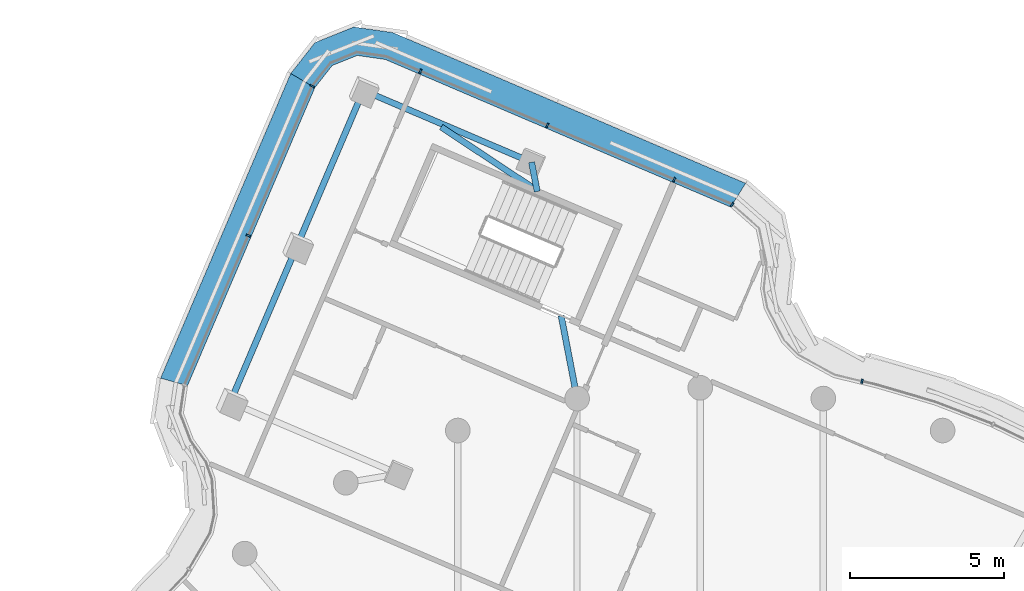
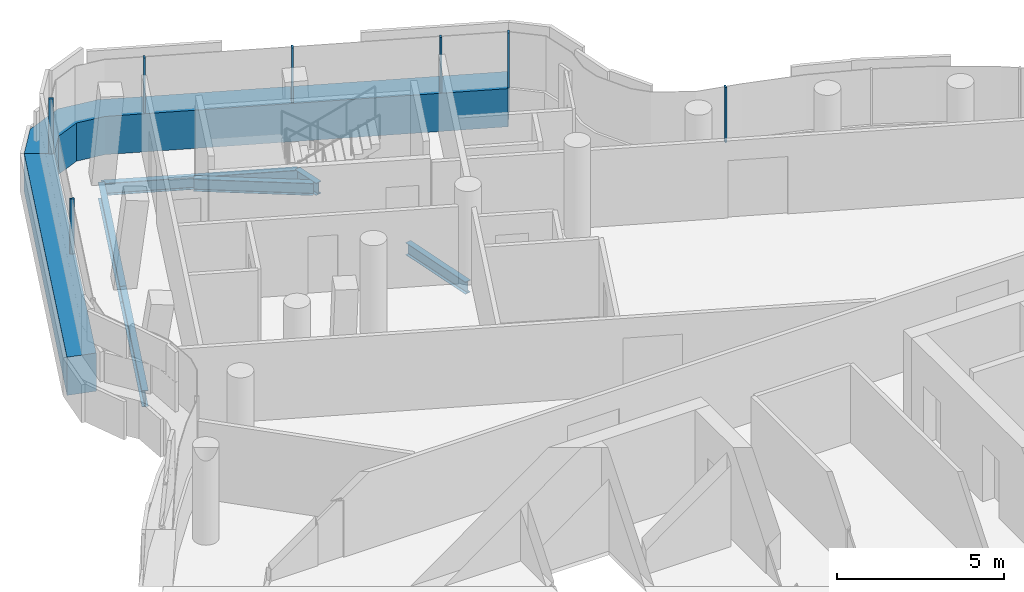
# One storey, part 9 of 20: 9 members, 6 beams, 3 elements without a shape of their own.
"""IFC4 building model written with IfcOpenShell, lengths in metres."""

from ifc_helpers import new_model, si_unit, direction, frame, origin, origin_2d, place, context, subcontext, project, spatial, polyline, rectangle, i_section, outline, extrude, material, layer, layer_set, material_profile, profile_set, type_object, element, aggregate, save


model = new_model("IFC4")

# Units and contexts
model_context = context("Model", 3, precision=1e-05, world=origin(), true_north=direction((0.0, 1.0)))
body_context = subcontext(model_context, "Body", "Model", "MODEL_VIEW")
ifc_project = project(units=[si_unit("LENGTHUNIT", "METRE"), si_unit("AREAUNIT", "SQUARE_METRE"), si_unit("VOLUMEUNIT", "CUBIC_METRE"), si_unit("PLANEANGLEUNIT", "RADIAN"), si_unit("MASSUNIT", "GRAM", prefix="KILO")], contexts=[model_context])

# Site, building, storey
site_placement = place(None, origin())
site = spatial("IfcSite", under=ifc_project, at=site_placement, CompositionType="ELEMENT")
building_placement = place(site_placement, origin())
building = spatial("IfcBuilding", under=site, at=building_placement, Name="Tamarind Cross Interchange Tower", CompositionType="ELEMENT")
storey_placement = place(building_placement, frame((0.0, 0.0, 274.800048828125)))
storey = spatial("IfcBuildingStorey", under=building, at=storey_placement, Name="L70", CompositionType="ELEMENT", Elevation=274.800048828125)

# Beams
ifc_material_1 = material(Name="Steel Q355B", Category="steel")
ifc_material_profile_1 = material_profile(ifc_material_1, i_section(OverallWidth=0.198974609375, OverallDepth=0.446044921875, WebThickness=0.008056640625, FlangeThickness=0.011962890625, FilletRadius=0.012939453125, at=origin_2d()), Name="HN 446x199x8x12")
ifc_profile_set_1 = profile_set([ifc_material_profile_1], Name="Steel Q355B")
beam_type_1 = type_object("IfcBeamType", Name="Composite beam HN 446x199x8x12 Q355B", PredefinedType="BEAM", material=ifc_profile_set_1)
beam_1_placement = place(storey_placement, frame((-10.9287109375, 32.649658203125, -0.363037109375), z_axis=(0.919606202652, -0.392841484628, 0.0), x_axis=(0.392841484628, 0.919606202652, 0.0)))
element("IfcBeam", 1, at=beam_1_placement, inside=storey, type_object=beam_type_1, Name="Beam N-edgeem4", PredefinedType="BEAM", context=body_context, shape_type="SweptSolid", body=[
    extrude(i_section(OverallWidth=0.198974609375, OverallDepth=0.446044921875, WebThickness=0.008056640625, FlangeThickness=0.011962890625, FilletRadius=0.012939453125, at=origin_2d()), origin(), (0.0, 0.0, 1.0), 5.933837890625),
])
beam_2_placement = place(storey_placement, frame((-5.471923828125, 30.318603515625, -0.363037109375), z_axis=(0.189400722895, -0.981899875836, 0.0), x_axis=(0.981899875836, 0.189400722895, 0.0)))
element("IfcBeam", 2, at=beam_2_placement, inside=storey, type_object=beam_type_1, Name="Beam N-linkemt0", PredefinedType="BEAM", context=body_context, shape_type="SweptSolid", body=[
    extrude(i_section(OverallWidth=0.198974609375, OverallDepth=0.446044921875, WebThickness=0.008056640625, FlangeThickness=0.011962890625, FilletRadius=0.012939453125, at=origin_2d()), origin(), (0.0, 0.0, 1.0), 0.965576171875),
])
beam_3_placement = place(storey_placement, frame((-4.5126953125, 25.341552734375, -0.363037109375), z_axis=(0.189309964471, -0.981917378068, 0.0), x_axis=(0.981917378068, 0.189309964471, 0.0)))
element("IfcBeam", 3, at=beam_3_placement, inside=storey, type_object=beam_type_1, Name="Beam N-linkemt1", PredefinedType="BEAM", context=body_context, shape_type="SweptSolid", body=[
    extrude(i_section(OverallWidth=0.198974609375, OverallDepth=0.446044921875, WebThickness=0.008056640625, FlangeThickness=0.011962890625, FilletRadius=0.012939453125, at=origin_2d()), origin(), (0.0, 0.0, 1.0), 2.740478515625),
])
beam_4_placement = place(storey_placement, frame((-5.4111328125, 29.47705078125, -0.363037109375), z_axis=(-0.83335367872, 0.552740125343, 0.0), x_axis=(-0.552740125343, -0.83335367872, 0.0)))
element("IfcBeam", 4, at=beam_4_placement, inside=storey, type_object=beam_type_1, Name="Beam N-tr0s1", PredefinedType="BEAM", context=body_context, shape_type="SweptSolid", body=[
    extrude(i_section(OverallWidth=0.198974609375, OverallDepth=0.446044921875, WebThickness=0.008056640625, FlangeThickness=0.011962890625, FilletRadius=0.012939453125, at=origin_2d()), origin(), (0.0, 0.0, 1.0), 3.595703125),
])
ifc_material_profile_2 = material_profile(ifc_material_1, i_section(OverallWidth=0.198974609375, OverallDepth=0.595947265625, WebThickness=0.010009765625, FlangeThickness=0.014892578125, FilletRadius=0.012939453125, at=origin_2d()), Name="HN 596x199x10x15")
ifc_profile_set_2 = profile_set([ifc_material_profile_2], Name="Steel Q355B")
beam_type_2 = type_object("IfcBeamType", Name="Composite beam HN 596x199x10x15 Q355B", PredefinedType="BEAM", material=ifc_profile_set_2)
beam_5_placement = place(storey_placement, frame((-10.9287109375, 32.649658203125, -0.43798828125), z_axis=(-0.392858250081, -0.91959904053, 0.0), x_axis=(0.91959904053, -0.392858250081, 0.0)))
element("IfcBeam", 5, at=beam_5_placement, inside=storey, type_object=beam_type_2, Name="Beam N-tip0", PredefinedType="BEAM", context=body_context, shape_type="SweptSolid", body=[
    extrude(i_section(OverallWidth=0.198974609375, OverallDepth=0.595947265625, WebThickness=0.010009765625, FlangeThickness=0.014892578125, FilletRadius=0.012939453125, at=origin_2d()), origin(), (0.0, 0.0, 1.0), 5.499755859375),
])
beam_6_placement = place(storey_placement, frame((-13.08935546875, 27.592041015625, -0.43798828125), z_axis=(-0.392879751177, -0.919589854835, 0.0), x_axis=(0.919589854835, -0.392879751177, 0.0)))
element("IfcBeam", 6, at=beam_6_placement, inside=storey, type_object=beam_type_2, Name="Beam N-tip1", PredefinedType="BEAM", context=body_context, shape_type="SweptSolid", body=[
    extrude(i_section(OverallWidth=0.198974609375, OverallDepth=0.595947265625, WebThickness=0.010009765625, FlangeThickness=0.014892578125, FilletRadius=0.012939453125, at=origin_2d()), origin(), (0.0, 0.0, 1.0), 5.500244140625),
])

# Curtain wall, member
ifc_material_2 = material(Name="Aluminium 6063-T6", Category="aluminium")
ifc_layer = layer(ifc_material_2, 0.139892578125)
ifc_layer_set = layer_set([ifc_layer], Name="Aluminium 6063-T6")
curtain_wall_type = type_object("IfcCurtainWallType", Name="Hotel curtain wall, 4.5 m bays", PredefinedType="NOTDEFINED", material=ifc_layer_set)
curtain_wall_1_placement = place(storey_placement, origin())
curtain_wall_1 = element("IfcCurtainWall", 7, at=curtain_wall_1_placement, inside=storey, type_object=curtain_wall_type, Name="CWS-L70-00", PredefinedType="NOTDEFINED")
ifc_material_3 = material(Name="Aluminium and insulated spandrel panel", Category="aluminium")
member_type_1 = type_object("IfcMemberType", Name="Floor-edge blade transom", PredefinedType="USERDEFINED", material=ifc_material_3)
member_1_placement = place(storey_placement, origin())
member_1 = element("IfcMember", 8, at=member_1_placement, type_object=member_type_1, Name="CWT-L70-00", ObjectType="TRANSOM", PredefinedType="USERDEFINED", context=body_context, shape_type="SweptSolid", body=[
    extrude(outline(polyline([(-12.506103515625, 32.737060546875), (-16.638671875, 23.064208984375), (-17.511962890625, 23.310791015625), (-13.287353515625, 33.199462890625), (-12.506103515625, 32.737060546875)])), origin(), (0.0, 0.0, 1.0), 1.39990234375),
])

curtain_wall_2_placement = place(storey_placement, origin())
curtain_wall_2 = element("IfcCurtainWall", 9, at=curtain_wall_2_placement, inside=storey, type_object=curtain_wall_type, Name="CWS-L70-02", PredefinedType="NOTDEFINED")
member_2_placement = place(storey_placement, origin())
member_2 = element("IfcMember", 10, at=member_2_placement, type_object=member_type_1, Name="CWT-L70-02", ObjectType="TRANSOM", PredefinedType="USERDEFINED", context=body_context, shape_type="SweptSolid", body=[
    extrude(outline(polyline([(0.98779296875, 28.86376953125), (-10.22314453125, 33.6533203125), (-11.12939453125, 33.78271484375), (-11.94091796875, 33.45703125), (-12.506103515625, 32.737060546875), (-13.287353515625, 33.199462890625), (-12.5, 34.202392578125), (-11.24072265625, 34.707763671875), (-9.978515625, 34.52734375), (1.474609375, 29.634521484375), (0.98779296875, 28.86376953125)])), origin(), (0.0, 0.0, 1.0), 1.39990234375),
])

# Member
ifc_material_profile_3 = material_profile(ifc_material_2, rectangle(XDim=0.06005859375, YDim=0.139892578125, at=origin_2d()), Name="Mullion CW2")
ifc_profile_set_3 = profile_set([ifc_material_profile_3], Name="Aluminium 6063-T6")
member_type_2 = type_object("IfcMemberType", Name="Mullion CW2", PredefinedType="MULLION", material=ifc_profile_set_3)
member_3_placement = place(storey_placement, frame((-12.593017578125, 32.788330078125, 1.39990234375), z_axis=(0.0, 0.0, 1.0), x_axis=(-0.509534079574, -0.86045047606, 0.0)))
member_3 = element("IfcMember", 11, at=member_3_placement, type_object=member_type_2, Name="CWM-L70-00-00", PredefinedType="MULLION", context=body_context, shape_type="SweptSolid", body=[
    extrude(rectangle(XDim=0.06005859375, YDim=0.139892578125, at=origin_2d()), origin(), (0.0, 0.0, 1.0), 2.02001953125),
])

member_4_placement = place(storey_placement, frame((-14.664306640625, 27.93994140625, 1.39990234375), z_axis=(0.0, 0.0, 1.0), x_axis=(-0.392863620655, -0.91959674617, 0.0)))
member_4 = element("IfcMember", 12, at=member_4_placement, type_object=member_type_2, Name="CWM-L70-00-01", PredefinedType="MULLION", context=body_context, shape_type="SweptSolid", body=[
    extrude(rectangle(XDim=0.06005859375, YDim=0.139892578125, at=origin_2d()), origin(), (0.0, 0.0, 1.0), 2.02001953125),
])

aggregate(curtain_wall_1, [member_3, member_4, member_1])

# Curtain wall, member
curtain_wall_3_placement = place(storey_placement, origin())
curtain_wall_3 = element("IfcCurtainWall", 13, at=curtain_wall_3_placement, inside=storey, type_object=curtain_wall_type, Name="CWS-L70-01", PredefinedType="NOTDEFINED")
member_5_placement = place(storey_placement, frame((5.250732421875, 23.211669921875, 1.39990234375), z_axis=(0.0, 0.0, 1.0), x_axis=(-0.971966491684, 0.235119414432, 0.0)))
member_5 = element("IfcMember", 14, at=member_5_placement, type_object=member_type_2, Name="CWM-L70-01-29", PredefinedType="MULLION", context=body_context, shape_type="SweptSolid", body=[
    extrude(rectangle(XDim=0.06005859375, YDim=0.139892578125, at=origin_2d()), origin(), (0.0, 0.0, 1.0), 2.02001953125),
])
aggregate(curtain_wall_3, [member_5])

# Member
member_6_placement = place(storey_placement, frame((1.0419921875, 28.949462890625, 1.39990234375), z_axis=(0.0, 0.0, 1.0), x_axis=(-0.845517487196, 0.533947730444, 0.0)))
member_6 = element("IfcMember", 15, at=member_6_placement, type_object=member_type_2, Name="CWM-L70-02-00", PredefinedType="MULLION", context=body_context, shape_type="SweptSolid", body=[
    extrude(rectangle(XDim=0.06005859375, YDim=0.139892578125, at=origin_2d()), origin(), (0.0, 0.0, 1.0), 2.02001953125),
])

member_7_placement = place(storey_placement, frame((-0.843505859375, 29.7548828125, 1.39990234375), z_axis=(0.0, 0.0, 1.0), x_axis=(-0.91959674617, 0.392863620655, 0.0)))
member_7 = element("IfcMember", 16, at=member_7_placement, type_object=member_type_2, Name="CWM-L70-02-01", PredefinedType="MULLION", context=body_context, shape_type="SweptSolid", body=[
    extrude(rectangle(XDim=0.06005859375, YDim=0.139892578125, at=origin_2d()), origin(), (0.0, 0.0, 1.0), 2.02001953125),
])

member_8_placement = place(storey_placement, frame((-4.9619140625, 31.514404296875, 1.39990234375), z_axis=(0.0, 0.0, 1.0), x_axis=(-0.91959674617, 0.392863620655, 0.0)))
member_8 = element("IfcMember", 17, at=member_8_placement, type_object=member_type_2, Name="CWM-L70-02-02", PredefinedType="MULLION", context=body_context, shape_type="SweptSolid", body=[
    extrude(rectangle(XDim=0.06005859375, YDim=0.139892578125, at=origin_2d()), origin(), (0.0, 0.0, 1.0), 2.02001953125),
])

member_9_placement = place(storey_placement, frame((-9.08056640625, 33.27392578125, 1.39990234375), z_axis=(0.0, 0.0, 1.0), x_axis=(-0.91959674617, 0.392863620655, 0.0)))
member_9 = element("IfcMember", 18, at=member_9_placement, type_object=member_type_2, Name="CWM-L70-02-03", PredefinedType="MULLION", context=body_context, shape_type="SweptSolid", body=[
    extrude(rectangle(XDim=0.06005859375, YDim=0.139892578125, at=origin_2d()), origin(), (0.0, 0.0, 1.0), 2.02001953125),
])

aggregate(curtain_wall_2, [member_6, member_7, member_8, member_9, member_2])

save(model, "model.ifc")
